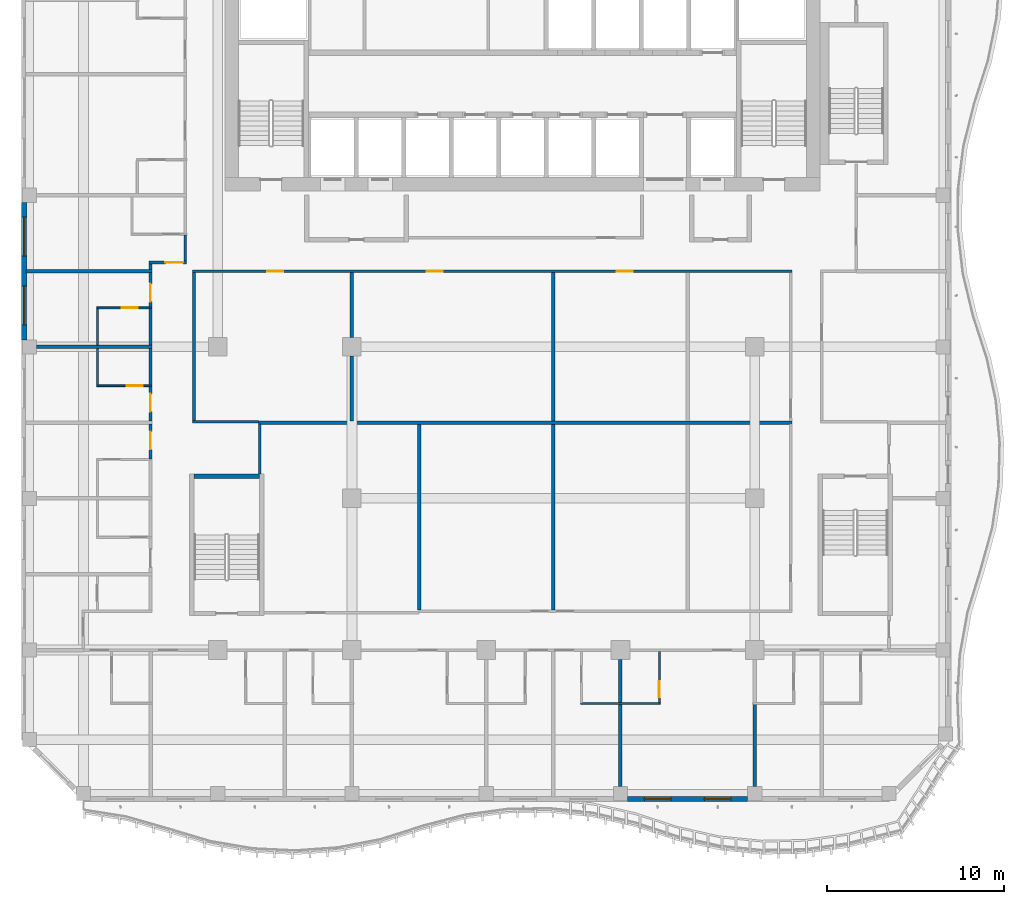
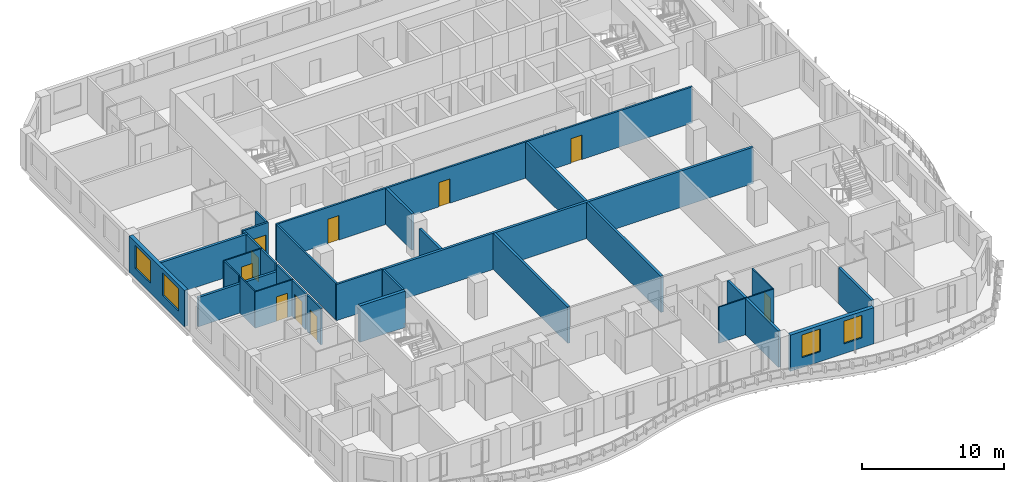
# One storey, part 4 of 21: 32 walls, 10 doors, 4 windows, 14 openings.
"""IFC4 building model written with IfcOpenShell, lengths in metres."""

from ifc_helpers import new_model, si_unit, direction, frame, frame_2d, origin, place, context, subcontext, project, spatial, rectangle, extrude, source, transform, mapped, material, layer, layer_set, type_object, element, fill, save


model = new_model("IFC4")

# Units and contexts
model_context = context("Model", 3, precision=1e-05, world=origin(), true_north=direction((0.0, 1.0)))
body_context = subcontext(model_context, "Body", "Model", "MODEL_VIEW")
ifc_project = project(units=[si_unit("LENGTHUNIT", "METRE"), si_unit("AREAUNIT", "SQUARE_METRE"), si_unit("VOLUMEUNIT", "CUBIC_METRE"), si_unit("PLANEANGLEUNIT", "RADIAN"), si_unit("MASSUNIT", "GRAM", prefix="KILO")], contexts=[model_context])

# Site, building, storey
site_placement = place(None, origin())
site = spatial("IfcSite", under=ifc_project, at=site_placement, CompositionType="ELEMENT")
building_placement = place(site_placement, origin())
building = spatial("IfcBuilding", under=site, at=building_placement, Name="Kilnfold Tower and Market Hall", CompositionType="ELEMENT")
storey_placement = place(building_placement, frame((0.0, 0.0, 185.5)))
storey = spatial("IfcBuildingStorey", under=building, at=storey_placement, Name="L44", CompositionType="ELEMENT", Elevation=185.5)

# Wall, opening, door
ifc_material_1 = material(Name="Gypsum board on steel studs", Category="steel")
ifc_layer_1 = layer(ifc_material_1, 0.14990234375)
ifc_layer_set_1 = layer_set([ifc_layer_1], Name="Gypsum board on steel studs")
wall_type_1 = type_object("IfcWallType", Name="WALL CORRIDOR 150", PredefinedType="PARTITIONING", material=ifc_layer_set_1)
wall_1_placement = place(storey_placement, frame((-19.958984375, -6.885009765625, 0.0), z_axis=(0.0, 0.0, 1.0), x_axis=(0.0, 1.0, 0.0)))
wall_1 = element("IfcWall", 1, at=wall_1_placement, inside=storey, type_object=wall_type_1, Name="Partition LY27.12", PredefinedType="PARTITIONING", context=body_context, shape_type="SweptSolid", body=[
    extrude(rectangle(XDim=1.951904296875, YDim=0.14990234375, at=frame_2d((0.97607421875, 0.0))), origin(), (0.0, 0.0, 1.0), 3.1201171875),
])
opening_1_placement = place(wall_1_placement, frame((0.531005859375, 0.0, 0.0)))
opening_1 = element("IfcOpeningElement", 2, at=opening_1_placement, cuts=wall_1, Name="Opening D1", PredefinedType="OPENING", context=body_context, shape_type="SweptSolid", body=[
    extrude(rectangle(XDim=1.0, YDim=2.10009765625, at=frame_2d((0.5, 1.050048828125))), frame((0.0, 0.0849609375, 0.0), z_axis=(0.0, -1.0, 0.0), x_axis=(1.0, 0.0, 0.0)), (0.0, 0.0, 1.0), 0.169921875),
])
ifc_material_2 = material(Name="Timber veneer door leaf in steel frame", Category="steel")
door_type_1 = type_object("IfcDoorType", Name="DOOR ENTRY 1000 X2100", OperationType="NOTDEFINED", PredefinedType="DOOR", material=ifc_material_2)
door_1_placement = place(opening_1_placement, origin())
door_1 = element("IfcDoor", 3, at=door_1_placement, inside=storey, type_object=door_type_1, Name="Door D1", OperationType="SINGLE_SWING_LEFT", OverallHeight=2.10009765625, OverallWidth=1.0, PredefinedType="DOOR", context=body_context, shape_type="SweptSolid", body=[
    extrude(rectangle(XDim=1.0, YDim=2.10009765625, at=frame_2d((0.5, 1.050048828125))), frame((0.0, 0.02490234375, 0.0), z_axis=(0.0, -1.0, 0.0), x_axis=(1.0, 0.0, 0.0)), (0.0, 0.0, 1.0), 0.050048828125),
])
fill(opening_1, door_1)

wall_2_placement = place(storey_placement, frame((-19.958984375, -4.7529296875, 0.0), z_axis=(0.0, 0.0, 1.0), x_axis=(0.0, 1.0, 0.0)))
wall_2 = element("IfcWall", 4, at=wall_2_placement, inside=storey, type_object=wall_type_1, Name="Partition LY27.14", PredefinedType="PARTITIONING", context=body_context, shape_type="SweptSolid", body=[
    extrude(rectangle(XDim=1.950927734375, YDim=0.14990234375, at=frame_2d((0.9755859375, 0.0))), origin(), (0.0, 0.0, 1.0), 3.1201171875),
])
opening_2_placement = place(wall_2_placement, frame((0.531005859375, 0.0, 0.0)))
opening_2 = element("IfcOpeningElement", 5, at=opening_2_placement, cuts=wall_2, Name="Opening D1", PredefinedType="OPENING", context=body_context, shape_type="SweptSolid", body=[
    extrude(rectangle(XDim=1.0, YDim=2.10009765625, at=frame_2d((0.5, 1.050048828125))), frame((0.0, 0.0849609375, 0.0), z_axis=(0.0, -1.0, 0.0), x_axis=(1.0, 0.0, 0.0)), (0.0, 0.0, 1.0), 0.169921875),
])
door_2_placement = place(opening_2_placement, origin())
door_2 = element("IfcDoor", 6, at=door_2_placement, inside=storey, type_object=door_type_1, Name="Door D1", OperationType="SINGLE_SWING_LEFT", OverallHeight=2.10009765625, OverallWidth=1.0, PredefinedType="DOOR", context=body_context, shape_type="SweptSolid", body=[
    extrude(rectangle(XDim=1.0, YDim=2.10009765625, at=frame_2d((0.5, 1.050048828125))), frame((0.0, 0.02490234375, 0.0), z_axis=(0.0, -1.0, 0.0), x_axis=(1.0, 0.0, 0.0)), (0.0, 0.0, 1.0), 0.050048828125),
])
fill(opening_2, door_2)

# Wall
wall_3_placement = place(storey_placement, frame((-19.958984375, -2.721923828125, 0.0), z_axis=(0.0, 0.0, 1.0), x_axis=(0.0, 1.0, 0.0)))
element("IfcWall", 7, at=wall_3_placement, inside=storey, type_object=wall_type_1, Name="Partition LY27.15", PredefinedType="PARTITIONING", context=body_context, shape_type="SweptSolid", body=[
    extrude(rectangle(XDim=2.06982421875, YDim=0.14990234375, at=frame_2d((1.034912109375, 0.0))), origin(), (0.0, 0.0, 1.0), 3.1201171875),
])

# Wall, opening, door
wall_4_placement = place(storey_placement, frame((-19.958984375, 1.677978515625, 0.0), z_axis=(0.0, 0.0, 1.0), x_axis=(0.0, 1.0, 0.0)))
wall_4 = element("IfcWall", 8, at=wall_4_placement, inside=storey, type_object=wall_type_1, Name="Partition LY27.16", PredefinedType="PARTITIONING", context=body_context, shape_type="SweptSolid", body=[
    extrude(rectangle(XDim=1.950927734375, YDim=0.14990234375, at=frame_2d((0.9755859375, 0.0))), origin(), (0.0, 0.0, 1.0), 3.1201171875),
])
opening_3_placement = place(wall_4_placement, frame((0.31005859375, 0.0, 0.0)))
opening_3 = element("IfcOpeningElement", 9, at=opening_3_placement, cuts=wall_4, Name="Opening D1", PredefinedType="OPENING", context=body_context, shape_type="SweptSolid", body=[
    extrude(rectangle(XDim=1.0, YDim=2.10009765625, at=frame_2d((0.5, 1.050048828125))), frame((0.0, 0.0849609375, 0.0), z_axis=(0.0, -1.0, 0.0), x_axis=(1.0, 0.0, 0.0)), (0.0, 0.0, 1.0), 0.169921875),
])
door_3_placement = place(opening_3_placement, origin())
door_3 = element("IfcDoor", 10, at=door_3_placement, inside=storey, type_object=door_type_1, Name="Door D1", OperationType="SINGLE_SWING_LEFT", OverallHeight=2.10009765625, OverallWidth=1.0, PredefinedType="DOOR", context=body_context, shape_type="SweptSolid", body=[
    extrude(rectangle(XDim=1.0, YDim=2.10009765625, at=frame_2d((0.5, 1.050048828125))), frame((0.0, 0.02490234375, 0.0), z_axis=(0.0, -1.0, 0.0), x_axis=(1.0, 0.0, 0.0)), (0.0, 0.0, 1.0), 0.050048828125),
])
fill(opening_3, door_3)

# Walls
wall_5_placement = place(storey_placement, frame((-19.958984375, -0.471923828125, 0.0), z_axis=(0.0, 0.0, 1.0), x_axis=(0.0, 1.0, 0.0)))
element("IfcWall", 11, at=wall_5_placement, inside=storey, type_object=wall_type_1, Name="Partition LY27.17", PredefinedType="PARTITIONING", context=body_context, shape_type="SweptSolid", body=[
    extrude(rectangle(XDim=2.06982421875, YDim=0.14990234375, at=frame_2d((1.034912109375, 0.0))), origin(), (0.0, 0.0, 1.0), 3.1201171875),
])
wall_6_placement = place(storey_placement, frame((-19.958984375, 3.80908203125, 0.0), z_axis=(0.0, 0.0, 1.0), x_axis=(0.0, 1.0, 0.0)))
element("IfcWall", 12, at=wall_6_placement, inside=storey, type_object=wall_type_1, Name="Partition LY27.18", PredefinedType="PARTITIONING", context=body_context, shape_type="SweptSolid", body=[
    extrude(rectangle(XDim=0.31591796875, YDim=0.14990234375, at=frame_2d((0.157958984375, 0.0))), origin(), (0.0, 0.0, 1.0), 3.1201171875),
])

# Wall, opening, door
wall_7_placement = place(storey_placement, frame((-17.925048828125, 4.199951171875, 0.0), z_axis=(0.0, 0.0, 1.0), x_axis=(-1.0, 0.0, 0.0)))
wall_7 = element("IfcWall", 13, at=wall_7_placement, inside=storey, type_object=wall_type_1, Name="Partition LY27.19", PredefinedType="PARTITIONING", context=body_context, shape_type="SweptSolid", body=[
    extrude(rectangle(XDim=2.10888671875, YDim=0.14990234375, at=frame_2d((1.054443359375, 0.0))), origin(), (0.0, 0.0, 1.0), 3.1201171875),
])
opening_4_placement = place(wall_7_placement, frame((0.199951171875, 0.0, 0.0)))
opening_4 = element("IfcOpeningElement", 14, at=opening_4_placement, cuts=wall_7, Name="Opening D1", PredefinedType="OPENING", context=body_context, shape_type="SweptSolid", body=[
    extrude(rectangle(XDim=1.0, YDim=2.10009765625, at=frame_2d((0.5, 1.050048828125))), frame((0.0, 0.0849609375, 0.0), z_axis=(0.0, -1.0, 0.0), x_axis=(1.0, 0.0, 0.0)), (0.0, 0.0, 1.0), 0.169921875),
])
door_4_placement = place(opening_4_placement, origin())
door_4 = element("IfcDoor", 15, at=door_4_placement, inside=storey, type_object=door_type_1, Name="Door D1", OperationType="SINGLE_SWING_LEFT", OverallHeight=2.10009765625, OverallWidth=1.0, PredefinedType="DOOR", context=body_context, shape_type="SweptSolid", body=[
    extrude(rectangle(XDim=1.0, YDim=2.10009765625, at=frame_2d((0.5, 1.050048828125))), frame((0.0, 0.02490234375, 0.0), z_axis=(0.0, -1.0, 0.0), x_axis=(1.0, 0.0, 0.0)), (0.0, 0.0, 1.0), 0.050048828125),
])
fill(opening_4, door_4)

# Wall
wall_8_placement = place(storey_placement, frame((-18.0, 4.27490234375, 0.0), z_axis=(0.0, 0.0, 1.0), x_axis=(0.0, 1.0, 0.0)))
element("IfcWall", 16, at=wall_8_placement, inside=storey, type_object=wall_type_1, Name="Partition LY27.20", PredefinedType="PARTITIONING", context=body_context, shape_type="SweptSolid", body=[
    extrude(rectangle(XDim=1.485107421875, YDim=0.14990234375, at=frame_2d((0.74267578125, 0.0))), origin(), (0.0, 0.0, 1.0), 3.1201171875),
])

# Wall, openings, doors
wall_9_placement = place(storey_placement, frame((-17.574951171875, 3.699951171875, 0.0), z_axis=(0.0, 0.0, 1.0), x_axis=(1.0, 0.0, 0.0)))
wall_9 = element("IfcWall", 17, at=wall_9_placement, inside=storey, type_object=wall_type_1, Name="Partition LY27.42", PredefinedType="PARTITIONING", context=body_context, shape_type="SweptSolid", body=[
    extrude(rectangle(XDim=33.849853515625, YDim=0.14990234375, at=frame_2d((16.9248046875, 0.0))), origin(), (0.0, 0.0, 1.0), 3.1201171875),
])
opening_5_placement = place(wall_9_placement, frame((4.200927734375, 0.0, 0.0)))
opening_5 = element("IfcOpeningElement", 18, at=opening_5_placement, cuts=wall_9, Name="Opening D2", PredefinedType="OPENING", context=body_context, shape_type="SweptSolid", body=[
    extrude(rectangle(XDim=0.89990234375, YDim=2.10009765625, at=frame_2d((0.449951171875, 1.050048828125))), frame((0.0, 0.0849609375, 0.0), z_axis=(0.0, -1.0, 0.0), x_axis=(1.0, 0.0, 0.0)), (0.0, 0.0, 1.0), 0.169921875),
])
opening_6_placement = place(wall_9_placement, frame((13.219970703125, 0.0, 0.0)))
opening_6 = element("IfcOpeningElement", 19, at=opening_6_placement, cuts=wall_9, Name="Opening D2", PredefinedType="OPENING", context=body_context, shape_type="SweptSolid", body=[
    extrude(rectangle(XDim=0.89990234375, YDim=2.10009765625, at=frame_2d((0.449951171875, 1.050048828125))), frame((0.0, 0.0849609375, 0.0), z_axis=(0.0, -1.0, 0.0), x_axis=(1.0, 0.0, 0.0)), (0.0, 0.0, 1.0), 0.169921875),
])
opening_7_placement = place(wall_9_placement, frame((23.958984375, 0.0, 0.0)))
opening_7 = element("IfcOpeningElement", 20, at=opening_7_placement, cuts=wall_9, Name="Opening D2", PredefinedType="OPENING", context=body_context, shape_type="SweptSolid", body=[
    extrude(rectangle(XDim=0.89990234375, YDim=2.10009765625, at=frame_2d((0.449951171875, 1.050048828125))), frame((0.0, 0.0849609375, 0.0), z_axis=(0.0, -1.0, 0.0), x_axis=(1.0, 0.0, 0.0)), (0.0, 0.0, 1.0), 0.169921875),
])
ifc_material_3 = material(Name="Timber veneer door leaf in steel frame", Category="steel")
door_type_2 = type_object("IfcDoorType", Name="DOOR ROOM 900 X2100", OperationType="NOTDEFINED", PredefinedType="DOOR", material=ifc_material_3)
door_5_placement = place(opening_5_placement, origin())
door_5 = element("IfcDoor", 21, at=door_5_placement, inside=storey, type_object=door_type_2, Name="Door D2", OperationType="SINGLE_SWING_LEFT", OverallHeight=2.10009765625, OverallWidth=0.89990234375, PredefinedType="DOOR", context=body_context, shape_type="SweptSolid", body=[
    extrude(rectangle(XDim=0.89990234375, YDim=2.10009765625, at=frame_2d((0.449951171875, 1.050048828125))), frame((0.0, 0.02490234375, 0.0), z_axis=(0.0, -1.0, 0.0), x_axis=(1.0, 0.0, 0.0)), (0.0, 0.0, 1.0), 0.050048828125),
])
fill(opening_5, door_5)
door_6_placement = place(opening_6_placement, origin())
door_6 = element("IfcDoor", 22, at=door_6_placement, inside=storey, type_object=door_type_2, Name="Door D2", OperationType="SINGLE_SWING_LEFT", OverallHeight=2.10009765625, OverallWidth=0.89990234375, PredefinedType="DOOR", context=body_context, shape_type="SweptSolid", body=[
    extrude(rectangle(XDim=0.89990234375, YDim=2.10009765625, at=frame_2d((0.449951171875, 1.050048828125))), frame((0.0, 0.02490234375, 0.0), z_axis=(0.0, -1.0, 0.0), x_axis=(1.0, 0.0, 0.0)), (0.0, 0.0, 1.0), 0.050048828125),
])
fill(opening_6, door_6)
door_7_placement = place(opening_7_placement, origin())
door_7 = element("IfcDoor", 23, at=door_7_placement, inside=storey, type_object=door_type_2, Name="Door D2", OperationType="SINGLE_SWING_LEFT", OverallHeight=2.10009765625, OverallWidth=0.89990234375, PredefinedType="DOOR", context=body_context, shape_type="SweptSolid", body=[
    extrude(rectangle(XDim=0.89990234375, YDim=2.10009765625, at=frame_2d((0.449951171875, 1.050048828125))), frame((0.0, 0.02490234375, 0.0), z_axis=(0.0, -1.0, 0.0), x_axis=(1.0, 0.0, 0.0)), (0.0, 0.0, 1.0), 0.050048828125),
])
fill(opening_7, door_7)

# Walls
wall_10_placement = place(storey_placement, frame((-17.5, -4.72509765625, 0.0), z_axis=(0.0, 0.0, 1.0), x_axis=(0.0, 1.0, 0.0)))
element("IfcWall", 24, at=wall_10_placement, inside=storey, type_object=wall_type_1, Name="Partition LY27.43", PredefinedType="PARTITIONING", context=body_context, shape_type="SweptSolid", body=[
    extrude(rectangle(XDim=8.35009765625, YDim=0.14990234375, at=frame_2d((4.175048828125, 0.0))), origin(), (0.0, 0.0, 1.0), 3.1201171875),
])
wall_11_placement = place(storey_placement, frame((-17.574951171875, -4.800048828125, 0.0), z_axis=(0.0, 0.0, 1.0), x_axis=(1.0, 0.0, 0.0)))
element("IfcWall", 25, at=wall_11_placement, inside=storey, type_object=wall_type_1, Name="Partition LY27.44", PredefinedType="PARTITIONING", context=body_context, shape_type="SweptSolid", body=[
    extrude(rectangle(XDim=3.701904296875, YDim=0.14990234375, at=frame_2d((1.85107421875, 0.0))), origin(), (0.0, 0.0, 1.0), 3.1201171875),
])
wall_12_placement = place(storey_placement, frame((-13.800048828125, -7.75, 0.0), z_axis=(0.0, 0.0, 1.0), x_axis=(0.0, 1.0, 0.0)))
element("IfcWall", 26, at=wall_12_placement, inside=storey, type_object=wall_type_1, Name="Partition LY27.46", PredefinedType="PARTITIONING", context=body_context, shape_type="SweptSolid", body=[
    extrude(rectangle(XDim=2.81689453125, YDim=0.14990234375, at=frame_2d((1.408447265625, 0.0))), origin(), (0.0, 0.0, 1.0), 3.1201171875),
])
ifc_material_4 = material(Name="Gypsum board on steel studs", Category="steel")
ifc_layer_2 = layer(ifc_material_4, 0.10009765625)
ifc_layer_set_2 = layer_set([ifc_layer_2], Name="Gypsum board on steel studs")
wall_type_2 = type_object("IfcWallType", Name="WALL PARTITION 100", PredefinedType="PARTITIONING", material=ifc_layer_set_2)
wall_13_placement = place(storey_placement, frame((4.3330078125, -20.701904296875, 0.0), z_axis=(0.0, 0.0, 1.0), x_axis=(1.0, 0.0, 0.0)))
element("IfcWall", 27, at=wall_13_placement, inside=storey, type_object=wall_type_2, Name="Partition LY27.70", PredefinedType="PARTITIONING", context=body_context, shape_type="SweptSolid", body=[
    extrude(rectangle(XDim=4.5, YDim=0.10009765625, at=frame_2d((2.25, 0.0))), origin(), (0.0, 0.0, 1.0), 3.1201171875),
])

# Wall, opening, door
wall_14_placement = place(storey_placement, frame((8.782958984375, -17.777099609375, 0.0), z_axis=(0.0, 0.0, 1.0), x_axis=(0.0, -1.0, 0.0)))
wall_14 = element("IfcWall", 28, at=wall_14_placement, inside=storey, type_object=wall_type_2, Name="Partition LY27.73", PredefinedType="PARTITIONING", context=body_context, shape_type="SweptSolid", body=[
    extrude(rectangle(XDim=2.875, YDim=0.10009765625, at=frame_2d((1.4375, 0.0))), origin(), (0.0, 0.0, 1.0), 3.1201171875),
])
opening_8_placement = place(wall_14_placement, frame((1.669921875, 0.0, 0.0)))
opening_8 = element("IfcOpeningElement", 29, at=opening_8_placement, cuts=wall_14, Name="Opening D3", PredefinedType="OPENING", context=body_context, shape_type="SweptSolid", body=[
    extrude(rectangle(XDim=0.89990234375, YDim=2.10009765625, at=frame_2d((0.449951171875, 1.050048828125))), frame((0.0, 0.06005859375, 0.0), z_axis=(0.0, -1.0, 0.0), x_axis=(1.0, 0.0, 0.0)), (0.0, 0.0, 1.0), 0.1201171875),
])
ifc_material_5 = material(Name="Timber veneer door leaf in steel frame", Category="steel")
door_type_3 = type_object("IfcDoorType", Name="DOOR WC 900 X2100", OperationType="NOTDEFINED", PredefinedType="DOOR", material=ifc_material_5)
door_8_placement = place(opening_8_placement, origin())
door_8 = element("IfcDoor", 30, at=door_8_placement, inside=storey, type_object=door_type_3, Name="Door D3", OperationType="SINGLE_SWING_LEFT", OverallHeight=2.10009765625, OverallWidth=0.89990234375, PredefinedType="DOOR", context=body_context, shape_type="SweptSolid", body=[
    extrude(rectangle(XDim=0.89990234375, YDim=2.10009765625, at=frame_2d((0.449951171875, 1.050048828125))), frame((0.0, 0.02490234375, 0.0), z_axis=(0.0, -1.0, 0.0), x_axis=(1.0, 0.0, 0.0)), (0.0, 0.0, 1.0), 0.050048828125),
])
fill(opening_8, door_8)

wall_15_placement = place(storey_placement, frame((-19.885986328125, -2.761962890625, 0.0), z_axis=(0.0, 0.0, 1.0), x_axis=(-1.0, 0.0, 0.0)))
wall_15 = element("IfcWall", 31, at=wall_15_placement, inside=storey, type_object=wall_type_2, Name="Partition LY27.91", PredefinedType="PARTITIONING", context=body_context, shape_type="SweptSolid", body=[
    extrude(rectangle(XDim=3.125, YDim=0.10009765625, at=frame_2d((1.5625, 0.0))), origin(), (0.0, 0.0, 1.0), 3.1201171875),
])
opening_9_placement = place(wall_15_placement, frame((0.50390625, 0.0, 0.0)))
opening_9 = element("IfcOpeningElement", 32, at=opening_9_placement, cuts=wall_15, Name="Opening D3", PredefinedType="OPENING", context=body_context, shape_type="SweptSolid", body=[
    extrude(rectangle(XDim=0.89990234375, YDim=2.10009765625, at=frame_2d((0.449951171875, 1.050048828125))), frame((0.0, 0.06005859375, 0.0), z_axis=(0.0, -1.0, 0.0), x_axis=(1.0, 0.0, 0.0)), (0.0, 0.0, 1.0), 0.1201171875),
])
door_9_placement = place(opening_9_placement, origin())
door_9 = element("IfcDoor", 33, at=door_9_placement, inside=storey, type_object=door_type_3, Name="Door D3", OperationType="SINGLE_SWING_RIGHT", OverallHeight=2.10009765625, OverallWidth=0.89990234375, PredefinedType="DOOR", context=body_context, shape_type="SweptSolid", body=[
    extrude(rectangle(XDim=0.89990234375, YDim=2.10009765625, at=frame_2d((0.449951171875, 1.050048828125))), frame((0.0, 0.02490234375, 0.0), z_axis=(0.0, -1.0, 0.0), x_axis=(1.0, 0.0, 0.0)), (0.0, 0.0, 1.0), 0.050048828125),
])
fill(opening_9, door_9)

# Wall
wall_16_placement = place(storey_placement, frame((-22.9609375, -2.7119140625, 0.0), z_axis=(0.0, 0.0, 1.0), x_axis=(0.0, 1.0, 0.0)))
element("IfcWall", 34, at=wall_16_placement, inside=storey, type_object=wall_type_2, Name="Partition LY27.92", PredefinedType="PARTITIONING", context=body_context, shape_type="SweptSolid", body=[
    extrude(rectangle(XDim=2.0498046875, YDim=0.10009765625, at=frame_2d((1.02490234375, 0.0))), origin(), (0.0, 0.0, 1.0), 3.1201171875),
])

# Wall, opening, door
wall_17_placement = place(storey_placement, frame((-23.010986328125, 1.637939453125, 0.0), z_axis=(0.0, 0.0, 1.0), x_axis=(1.0, 0.0, 0.0)))
wall_17 = element("IfcWall", 35, at=wall_17_placement, inside=storey, type_object=wall_type_2, Name="Partition LY27.94", PredefinedType="PARTITIONING", context=body_context, shape_type="SweptSolid", body=[
    extrude(rectangle(XDim=3.125, YDim=0.10009765625, at=frame_2d((1.5625, 0.0))), origin(), (0.0, 0.0, 1.0), 3.1201171875),
])
opening_10_placement = place(wall_17_placement, frame((1.4169921875, 0.0, 0.0)))
opening_10 = element("IfcOpeningElement", 36, at=opening_10_placement, cuts=wall_17, Name="Opening D3", PredefinedType="OPENING", context=body_context, shape_type="SweptSolid", body=[
    extrude(rectangle(XDim=0.89990234375, YDim=2.10009765625, at=frame_2d((0.449951171875, 1.050048828125))), frame((0.0, 0.06005859375, 0.0), z_axis=(0.0, -1.0, 0.0), x_axis=(1.0, 0.0, 0.0)), (0.0, 0.0, 1.0), 0.1201171875),
])
door_10_placement = place(opening_10_placement, origin())
door_10 = element("IfcDoor", 37, at=door_10_placement, inside=storey, type_object=door_type_3, Name="Door D3", OperationType="SINGLE_SWING_LEFT", OverallHeight=2.10009765625, OverallWidth=0.89990234375, PredefinedType="DOOR", context=body_context, shape_type="SweptSolid", body=[
    extrude(rectangle(XDim=0.89990234375, YDim=2.10009765625, at=frame_2d((0.449951171875, 1.050048828125))), frame((0.0, 0.02490234375, 0.0), z_axis=(0.0, -1.0, 0.0), x_axis=(1.0, 0.0, 0.0)), (0.0, 0.0, 1.0), 0.050048828125),
])
fill(opening_10, door_10)

# Walls
wall_18_placement = place(storey_placement, frame((-22.9609375, -0.4619140625, 0.0), z_axis=(0.0, 0.0, 1.0), x_axis=(0.0, 1.0, 0.0)))
element("IfcWall", 38, at=wall_18_placement, inside=storey, type_object=wall_type_2, Name="Partition LY27.95", PredefinedType="PARTITIONING", context=body_context, shape_type="SweptSolid", body=[
    extrude(rectangle(XDim=2.0498046875, YDim=0.10009765625, at=frame_2d((1.02490234375, 0.0))), origin(), (0.0, 0.0, 1.0), 3.1201171875),
])
ifc_material_6 = material(Name="Gypsum board on steel studs", Category="steel")
ifc_layer_3 = layer(ifc_material_6, 0.199951171875)
ifc_layer_set_3 = layer_set([ifc_layer_3], Name="Gypsum board on steel studs")
wall_type_3 = type_object("IfcWallType", Name="WALL PARTY 200", PredefinedType="PARTITIONING", material=ifc_layer_set_3)
wall_19_placement = place(storey_placement, frame((6.5830078125, -25.39990234375, 0.0), z_axis=(0.0, 0.0, 1.0), x_axis=(0.0, 1.0, 0.0)))
element("IfcWall", 39, at=wall_19_placement, inside=storey, type_object=wall_type_3, Name="Partition LY27.71", PredefinedType="PARTITIONING", context=body_context, shape_type="SweptSolid", body=[
    extrude(rectangle(XDim=4.64794921875, YDim=0.199951171875, at=frame_2d((2.323974609375, 0.0))), origin(), (0.0, 0.0, 1.0), 3.1201171875),
])
wall_20_placement = place(storey_placement, frame((6.5830078125, -20.652099609375, 0.0), z_axis=(0.0, 0.0, 1.0), x_axis=(0.0, 1.0, 0.0)))
element("IfcWall", 40, at=wall_20_placement, inside=storey, type_object=wall_type_3, Name="Partition LY27.72", PredefinedType="PARTITIONING", context=body_context, shape_type="SweptSolid", body=[
    extrude(rectangle(XDim=2.440185546875, YDim=0.199951171875, at=frame_2d((1.22021484375, 0.0))), origin(), (0.0, 0.0, 1.0), 3.1201171875),
])
wall_21_placement = place(storey_placement, frame((14.1669921875, -25.39990234375, 0.0), z_axis=(0.0, 0.0, 1.0), x_axis=(0.0, 1.0, 0.0)))
element("IfcWall", 41, at=wall_21_placement, inside=storey, type_object=wall_type_3, Name="Partition LY27.74", PredefinedType="PARTITIONING", context=body_context, shape_type="SweptSolid", body=[
    extrude(rectangle(XDim=4.657958984375, YDim=0.199951171875, at=frame_2d((2.3291015625, 0.0))), origin(), (0.0, 0.0, 1.0), 3.1201171875),
])
wall_22_placement = place(storey_placement, frame((-26.39990234375, -0.56201171875, 0.0), z_axis=(0.0, 0.0, 1.0), x_axis=(1.0, 0.0, 0.0)))
element("IfcWall", 42, at=wall_22_placement, inside=storey, type_object=wall_type_3, Name="Partition LY27.93", PredefinedType="PARTITIONING", context=body_context, shape_type="SweptSolid", body=[
    extrude(rectangle(XDim=6.513916015625, YDim=0.199951171875, at=frame_2d((3.2568359375, 0.0))), origin(), (0.0, 0.0, 1.0), 2.52001953125),
])
wall_23_placement = place(storey_placement, frame((-27.0, 3.718994140625, 0.0), z_axis=(0.0, 0.0, 1.0), x_axis=(1.0, 0.0, 0.0)))
element("IfcWall", 43, at=wall_23_placement, inside=storey, type_object=wall_type_3, Name="Partition LY27.96", PredefinedType="PARTITIONING", context=body_context, shape_type="SweptSolid", body=[
    extrude(rectangle(XDim=7.114013671875, YDim=0.199951171875, at=frame_2d((3.55712890625, 0.0))), origin(), (0.0, 0.0, 1.0), 3.1201171875),
])
wall_24_placement = place(storey_placement, frame((-8.5830078125, -0.037109375, 0.0), z_axis=(0.0, 0.0, 1.0), x_axis=(0.0, 1.0, 0.0)))
element("IfcWall", 44, at=wall_24_placement, inside=storey, type_object=wall_type_3, Name="Partition LY27.117", PredefinedType="PARTITIONING", context=body_context, shape_type="SweptSolid", body=[
    extrude(rectangle(XDim=3.66015625, YDim=0.199951171875, at=frame_2d((1.830078125, 0.0))), origin(), (0.0, 0.0, 1.0), 3.1201171875),
])
wall_25_placement = place(storey_placement, frame((-8.5830078125, -4.742919921875, 0.0), z_axis=(0.0, 0.0, 1.0), x_axis=(0.0, 1.0, 0.0)))
element("IfcWall", 45, at=wall_25_placement, inside=storey, type_object=wall_type_3, Name="Partition LY27.118", PredefinedType="PARTITIONING", context=body_context, shape_type="SweptSolid", body=[
    extrude(rectangle(XDim=3.656005859375, YDim=0.199951171875, at=frame_2d((1.828125, 0.0))), origin(), (0.0, 0.0, 1.0), 2.52001953125),
])
wall_26_placement = place(storey_placement, frame((-13.873046875, -4.843017578125, 0.0), z_axis=(0.0, 0.0, 1.0), x_axis=(1.0, 0.0, 0.0)))
element("IfcWall", 46, at=wall_26_placement, inside=storey, type_object=wall_type_3, Name="Partition LY27.119", PredefinedType="PARTITIONING", context=body_context, shape_type="SweptSolid", body=[
    extrude(rectangle(XDim=30.14599609375, YDim=0.199951171875, at=frame_2d((15.072998046875, 0.0))), origin(), (0.0, 0.0, 1.0), 3.1201171875),
])
wall_27_placement = place(storey_placement, frame((2.7919921875, -4.742919921875, 0.0), z_axis=(0.0, 0.0, 1.0), x_axis=(0.0, 1.0, 0.0)))
element("IfcWall", 47, at=wall_27_placement, inside=storey, type_object=wall_type_3, Name="Partition LY27.120", PredefinedType="PARTITIONING", context=body_context, shape_type="SweptSolid", body=[
    extrude(rectangle(XDim=8.365966796875, YDim=0.199951171875, at=frame_2d((4.18310546875, 0.0))), origin(), (0.0, 0.0, 1.0), 3.1201171875),
])
for number, where, z_axis, x_axis, name in (
    (48, (-4.7919921875, -15.423095703125, 0.0), (0.0, 0.0, 1.0), (0.0, 1.0, 0.0), "Partition LY27.122"),
    (49, (2.7919921875, -15.423095703125, 0.0), (0.0, 0.0, 1.0), (0.0, 1.0, 0.0), "Partition LY27.123"),
):
    element("IfcWall", number, at=place(storey_placement, frame(where, z_axis=z_axis, x_axis=x_axis)), inside=storey, type_object=wall_type_3, Name=name, PredefinedType="PARTITIONING", context=body_context, shape_type="SweptSolid", body=[
        extrude(rectangle(XDim=10.47998046875, YDim=0.199951171875, at=frame_2d((5.239990234375, 0.0))), origin(), (0.0, 0.0, 1.0), 3.1201171875),
    ])
ifc_material_7 = material(Name="Concrete C60", Category="concrete")
ifc_layer_4 = layer(ifc_material_7, 0.25)
ifc_layer_set_4 = layer_set([ifc_layer_4], Name="Concrete C60")
wall_type_4 = type_object("IfcWallType", Name="CORE WALL 250 C60", PredefinedType="SHEAR", material=ifc_layer_set_4)
shared_shape_1 = source(origin(), body_context, "Body", "SweptSolid", [
    extrude(rectangle(XDim=3.699951171875, YDim=0.25, at=frame_2d((1.85009765625, 0.0))), origin(), (0.0, 0.0, 1.0), 3.1201171875),
])
wall_28_placement = place(storey_placement, frame((-17.5, -7.875, 0.0), z_axis=(0.0, 0.0, 1.0), x_axis=(1.0, 0.0, 0.0)))
element("IfcWall", 50, at=wall_28_placement, inside=storey, type_object=wall_type_4, Name="Stair enclosure ST3", PredefinedType="SHEAR", context=body_context, shape_type="MappedRepresentation", body=[
    mapped(shared_shape_1, transform((0.0, 0.0, 0.0))),
])

# Wall, openings, windows
ifc_material_8 = material(Name="Precast concrete C50/60", Category="concrete")
ifc_layer_5 = layer(ifc_material_8, 0.300048828125)
ifc_layer_set_5 = layer_set([ifc_layer_5], Name="Precast concrete C50/60")
wall_type_5 = type_object("IfcWallType", Name="PRECAST WALL 300", PredefinedType="SOLIDWALL", material=ifc_layer_set_5)
shared_shape_2 = source(origin(), body_context, "Body", "SweptSolid", [
    extrude(rectangle(XDim=6.783203125, YDim=0.300048828125, at=frame_2d((3.3916015625, 0.0))), origin(), (0.0, 0.0, 1.0), 3.1201171875),
])
wall_29_placement = place(storey_placement, frame((6.9833984375, -26.10009765625, 0.0), z_axis=(0.0, 0.0, 1.0), x_axis=(1.0, 0.0, 0.0)))
wall_29 = element("IfcWall", 51, at=wall_29_placement, inside=storey, type_object=wall_type_5, Name="External wall L44 S", PredefinedType="SOLIDWALL", context=body_context, shape_type="MappedRepresentation", body=[
    mapped(shared_shape_2, transform((0.0, 0.0, 0.0))),
])
opening_11_placement = place(wall_29_placement, frame((0.94580078125, 0.0, 0.85009765625)))
opening_11 = element("IfcOpeningElement", 52, at=opening_11_placement, cuts=wall_29, Name="Opening W4", PredefinedType="OPENING", context=body_context, shape_type="SweptSolid", body=[
    extrude(rectangle(XDim=1.5, YDim=1.949951171875, at=frame_2d((0.75, 0.97509765625))), frame((0.0, 0.16015625, 0.0), z_axis=(0.0, -1.0, 0.0), x_axis=(1.0, 0.0, 0.0)), (0.0, 0.0, 1.0), 0.320068359375),
])
opening_12_placement = place(wall_29_placement, frame((4.337646484375, 0.0, 0.85009765625)))
opening_12 = element("IfcOpeningElement", 53, at=opening_12_placement, cuts=wall_29, Name="Opening W4", PredefinedType="OPENING", context=body_context, shape_type="SweptSolid", body=[
    extrude(rectangle(XDim=1.5, YDim=1.949951171875, at=frame_2d((0.75, 0.97509765625))), frame((0.0, 0.16015625, 0.0), z_axis=(0.0, -1.0, 0.0), x_axis=(1.0, 0.0, 0.0)), (0.0, 0.0, 1.0), 0.320068359375),
])
ifc_material_9 = material(Name="Aluminium frame and double glazing", Category="aluminium")
window_type_1 = type_object("IfcWindowType", Name="WINDOW W4 1500X1950", PartitioningType="SINGLE_PANEL", PredefinedType="WINDOW", material=ifc_material_9)
window_1_placement = place(opening_11_placement, origin())
window_1 = element("IfcWindow", 54, at=window_1_placement, inside=storey, type_object=window_type_1, Name="Window W4 L44 S-1", OverallHeight=1.949951171875, OverallWidth=1.5, PartitioningType="SINGLE_PANEL", PredefinedType="WINDOW", context=body_context, shape_type="SweptSolid", body=[
    extrude(rectangle(XDim=1.5, YDim=1.949951171875, at=frame_2d((0.75, 0.97509765625))), frame((0.0, 0.030029296875, 0.0), z_axis=(0.0, -1.0, 0.0), x_axis=(1.0, 0.0, 0.0)), (0.0, 0.0, 1.0), 0.06005859375),
])
fill(opening_11, window_1)
window_2_placement = place(opening_12_placement, origin())
window_2 = element("IfcWindow", 55, at=window_2_placement, inside=storey, type_object=window_type_1, Name="Window W4 L44 S-2", OverallHeight=1.949951171875, OverallWidth=1.5, PartitioningType="SINGLE_PANEL", PredefinedType="WINDOW", context=body_context, shape_type="SweptSolid", body=[
    extrude(rectangle(XDim=1.5, YDim=1.949951171875, at=frame_2d((0.75, 0.97509765625))), frame((0.0, 0.030029296875, 0.0), z_axis=(0.0, -1.0, 0.0), x_axis=(1.0, 0.0, 0.0)), (0.0, 0.0, 1.0), 0.06005859375),
])
fill(opening_12, window_2)

shared_shape_3 = source(origin(), body_context, "Body", "SweptSolid", [
    extrude(rectangle(XDim=7.7626953125, YDim=0.300048828125, at=frame_2d((3.88134765625, 0.0))), origin(), (0.0, 0.0, 1.0), 3.1201171875),
])
wall_30_placement = place(storey_placement, frame((-27.10009765625, 7.60009765625, 0.0), z_axis=(0.0, 0.0, 1.0), x_axis=(0.0, -1.0, 0.0)))
wall_30 = element("IfcWall", 56, at=wall_30_placement, inside=storey, type_object=wall_type_5, Name="External wall L44 W", PredefinedType="SOLIDWALL", context=body_context, shape_type="MappedRepresentation", body=[
    mapped(shared_shape_3, transform((0.0, 0.0, 0.0))),
])
opening_13_placement = place(wall_30_placement, frame((0.840576171875, 0.0, 0.85009765625)))
opening_13 = element("IfcOpeningElement", 57, at=opening_13_placement, cuts=wall_30, Name="Opening W2", PredefinedType="OPENING", context=body_context, shape_type="SweptSolid", body=[
    extrude(rectangle(XDim=2.199951171875, YDim=1.949951171875, at=frame_2d((1.10009765625, 0.97509765625))), frame((0.0, 0.16015625, 0.0), z_axis=(0.0, -1.0, 0.0), x_axis=(1.0, 0.0, 0.0)), (0.0, 0.0, 1.0), 0.320068359375),
])
opening_14_placement = place(wall_30_placement, frame((4.7216796875, 0.0, 0.85009765625)))
opening_14 = element("IfcOpeningElement", 58, at=opening_14_placement, cuts=wall_30, Name="Opening W2", PredefinedType="OPENING", context=body_context, shape_type="SweptSolid", body=[
    extrude(rectangle(XDim=2.199951171875, YDim=1.949951171875, at=frame_2d((1.10009765625, 0.97509765625))), frame((0.0, 0.16015625, 0.0), z_axis=(0.0, -1.0, 0.0), x_axis=(1.0, 0.0, 0.0)), (0.0, 0.0, 1.0), 0.320068359375),
])
ifc_material_10 = material(Name="Aluminium frame and double glazing", Category="aluminium")
window_type_2 = type_object("IfcWindowType", Name="WINDOW W2 2200X1950", PartitioningType="SINGLE_PANEL", PredefinedType="WINDOW", material=ifc_material_10)
window_3_placement = place(opening_13_placement, origin())
window_3 = element("IfcWindow", 59, at=window_3_placement, inside=storey, type_object=window_type_2, Name="Window W2 L44 W-1", OverallHeight=1.949951171875, OverallWidth=2.199951171875, PartitioningType="SINGLE_PANEL", PredefinedType="WINDOW", context=body_context, shape_type="SweptSolid", body=[
    extrude(rectangle(XDim=2.199951171875, YDim=1.949951171875, at=frame_2d((1.10009765625, 0.97509765625))), frame((0.0, 0.030029296875, 0.0), z_axis=(0.0, -1.0, 0.0), x_axis=(1.0, 0.0, 0.0)), (0.0, 0.0, 1.0), 0.06005859375),
])
fill(opening_13, window_3)
window_4_placement = place(opening_14_placement, origin())
window_4 = element("IfcWindow", 60, at=window_4_placement, inside=storey, type_object=window_type_2, Name="Window W2 L44 W-2", OverallHeight=1.949951171875, OverallWidth=2.199951171875, PartitioningType="SINGLE_PANEL", PredefinedType="WINDOW", context=body_context, shape_type="SweptSolid", body=[
    extrude(rectangle(XDim=2.199951171875, YDim=1.949951171875, at=frame_2d((1.10009765625, 0.97509765625))), frame((0.0, 0.030029296875, 0.0), z_axis=(0.0, -1.0, 0.0), x_axis=(1.0, 0.0, 0.0)), (0.0, 0.0, 1.0), 0.06005859375),
])
fill(opening_14, window_4)

save(model, "model.ifc")
